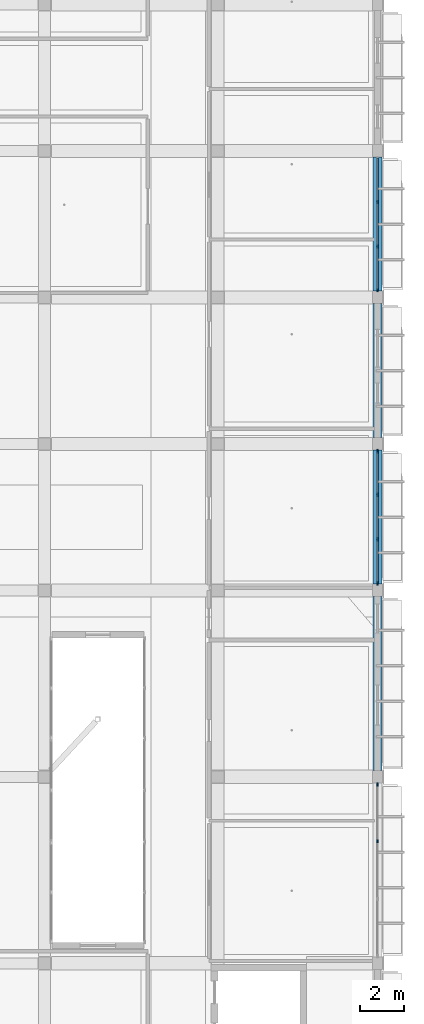
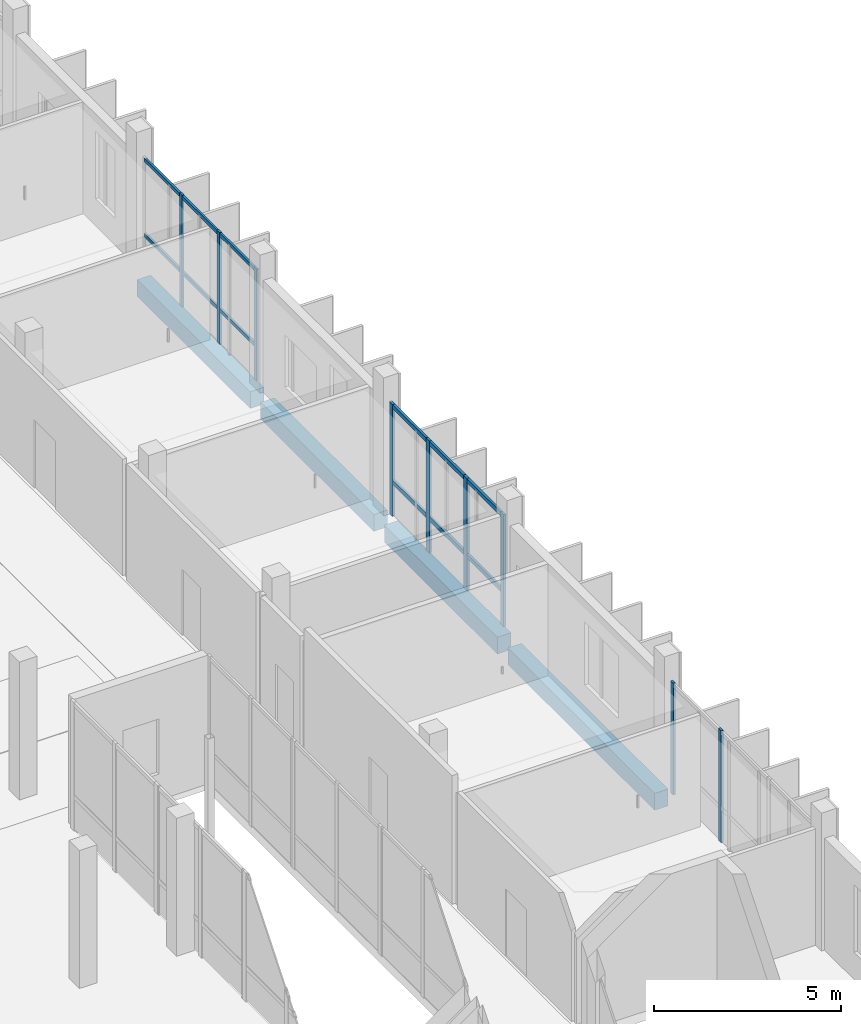
# One storey, part 41 of 95: 13 members, 4 beams, 3 elements without a shape of their own.
"""IFC4 building model written with IfcOpenShell, lengths in metres."""

from ifc_helpers import new_model, si_unit, derived_unit, direction, frame, origin, origin_2d, place, context, subcontext, project, spatial, rectangle, extrude, material, material_profile, profile_set, type_object, element, aggregate, save


model = new_model("IFC4")

# Units and contexts
model_context = context("Model", 3, precision=1e-05, world=origin(), true_north=direction((0.0, 1.0)))
body_context = subcontext(model_context, "Body", "Model", "MODEL_VIEW")
ifc_project = project(units=[si_unit("LENGTHUNIT", "METRE"), si_unit("AREAUNIT", "SQUARE_METRE"), si_unit("VOLUMEUNIT", "CUBIC_METRE"), si_unit("PLANEANGLEUNIT", "RADIAN"), si_unit("MASSUNIT", "GRAM", prefix="KILO"), derived_unit("THERMALTRANSMITTANCEUNIT", [(si_unit("POWERUNIT", "WATT"), 1), (si_unit("LENGTHUNIT", "METRE"), -2), (si_unit("THERMODYNAMICTEMPERATUREUNIT", "KELVIN"), -1)])], contexts=[model_context])

# Site, building, storey
site_placement = place(None, origin())
site = spatial("IfcSite", under=ifc_project, at=site_placement, CompositionType="ELEMENT")
building_placement = place(site_placement, origin())
building = spatial("IfcBuilding", under=site, at=building_placement, Name="Braskholm Square Health Centre", CompositionType="ELEMENT")
storey_placement = place(building_placement, frame((0.0, 0.0, 4.800048828125)))
storey = spatial("IfcBuildingStorey", under=building, at=storey_placement, Name="L02", CompositionType="ELEMENT", Elevation=4.800048828125)

# Curtain wall, members
ifc_material_1 = material(Name="Low-E triple insulating glass (VLT 0.64)", Category="glass")
curtain_wall_type = type_object("IfcCurtainWallType", Name="UnitisedCurtainWall6200x3650", PredefinedType="NOTDEFINED", material=ifc_material_1)
curtain_wall_1_placement = place(storey_placement, origin())
curtain_wall_1 = element("IfcCurtainWall", 1, at=curtain_wall_1_placement, inside=storey, type_object=curtain_wall_type, Name="East Outer unitised curtain wall CW-L02-0056", PredefinedType="NOTDEFINED")
ifc_material_2 = material(Name="Architectural bronze anodised aluminium", Category="aluminium")
ifc_material_profile_1 = material_profile(ifc_material_2, rectangle(XDim=0.06494140625, YDim=0.14990234375, at=origin_2d()), Name="ALU-65X150")
ifc_profile_set_1 = profile_set([ifc_material_profile_1], Name="Architectural bronze anodised aluminium")
member_type_1 = type_object("IfcMemberType", Name="CurtainWallMullion65x150", PredefinedType="MULLION", material=ifc_profile_set_1)
member_1_placement = place(storey_placement, frame((163.800048828125, 69.30322265625, 0.0), z_axis=(0.0, 0.0, 1.0), x_axis=(1.0, 0.0, 0.0)))
member_1 = element("IfcMember", 2, at=member_1_placement, type_object=member_type_1, Name="CW-L02-0056 vertical mullion 3", PredefinedType="MULLION", context=body_context, shape_type="SweptSolid", body=[
    extrude(rectangle(XDim=0.06494140625, YDim=0.14990234375, at=origin_2d()), origin(), (0.0, 0.0, 1.0), 3.64990234375),
])
member_2_placement = place(storey_placement, frame((163.800048828125, 71.863037109375, 0.0), z_axis=(0.0, 0.0, 1.0), x_axis=(1.0, 0.0, 0.0)))
member_2 = element("IfcMember", 3, at=member_2_placement, type_object=member_type_1, Name="CW-L02-0056 vertical mullion 4", PredefinedType="MULLION", context=body_context, shape_type="SweptSolid", body=[
    extrude(rectangle(XDim=0.06494140625, YDim=0.14990234375, at=origin_2d()), origin(), (0.0, 0.0, 1.0), 3.64990234375),
])
aggregate(curtain_wall_1, [member_1, member_2])

curtain_wall_2_placement = place(storey_placement, origin())
curtain_wall_2 = element("IfcCurtainWall", 4, at=curtain_wall_2_placement, inside=storey, type_object=curtain_wall_type, Name="East Outer unitised curtain wall CW-L02-0058", PredefinedType="NOTDEFINED")
member_3_placement = place(storey_placement, frame((163.800048828125, 94.126220703125, 0.0), z_axis=(0.0, 0.0, 1.0), x_axis=(1.0, 0.0, 0.0)))
member_3 = element("IfcMember", 5, at=member_3_placement, type_object=member_type_1, Name="CW-L02-0058 vertical mullion 1", PredefinedType="MULLION", context=body_context, shape_type="SweptSolid", body=[
    extrude(rectangle(XDim=0.06494140625, YDim=0.14990234375, at=origin_2d()), origin(), (0.0, 0.0, 1.0), 3.64990234375),
])
member_4_placement = place(storey_placement, frame((163.800048828125, 96.0966796875, 0.0), z_axis=(0.0, 0.0, 1.0), x_axis=(1.0, 0.0, 0.0)))
member_4 = element("IfcMember", 6, at=member_4_placement, type_object=member_type_1, Name="CW-L02-0058 vertical mullion 2", PredefinedType="MULLION", context=body_context, shape_type="SweptSolid", body=[
    extrude(rectangle(XDim=0.06494140625, YDim=0.14990234375, at=origin_2d()), origin(), (0.0, 0.0, 1.0), 3.64990234375),
])
member_5_placement = place(storey_placement, frame((163.800048828125, 98.103271484375, 0.0), z_axis=(0.0, 0.0, 1.0), x_axis=(1.0, 0.0, 0.0)))
member_5 = element("IfcMember", 7, at=member_5_placement, type_object=member_type_1, Name="CW-L02-0058 vertical mullion 3", PredefinedType="MULLION", context=body_context, shape_type="SweptSolid", body=[
    extrude(rectangle(XDim=0.06494140625, YDim=0.14990234375, at=origin_2d()), origin(), (0.0, 0.0, 1.0), 3.64990234375),
])

curtain_wall_3_placement = place(storey_placement, origin())
curtain_wall_3 = element("IfcCurtainWall", 8, at=curtain_wall_3_placement, inside=storey, type_object=curtain_wall_type, Name="East Outer unitised curtain wall CW-L02-0057", PredefinedType="NOTDEFINED")
ifc_material_profile_2 = material_profile(ifc_material_2, rectangle(XDim=0.074951171875, YDim=0.179931640625, at=origin_2d()), Name="ALU-75X180")
ifc_profile_set_2 = profile_set([ifc_material_profile_2], Name="Architectural bronze anodised aluminium")
member_type_2 = type_object("IfcMemberType", Name="CurtainWallMullion75x180", PredefinedType="MULLION", material=ifc_profile_set_2)
member_6_placement = place(storey_placement, frame((163.800048828125, 80.926025390625, 0.0), z_axis=(0.0, 0.0, 1.0), x_axis=(1.0, 0.0, 0.0)))
member_6 = element("IfcMember", 9, at=member_6_placement, type_object=member_type_2, Name="CW-L02-0057 vertical mullion 1", PredefinedType="MULLION", context=body_context, shape_type="SweptSolid", body=[
    extrude(rectangle(XDim=0.074951171875, YDim=0.179931640625, at=origin_2d()), origin(), (0.0, 0.0, 1.0), 3.64990234375),
])
member_7_placement = place(storey_placement, frame((163.800048828125, 82.896728515625, 0.0), z_axis=(0.0, 0.0, 1.0), x_axis=(1.0, 0.0, 0.0)))
member_7 = element("IfcMember", 10, at=member_7_placement, type_object=member_type_2, Name="CW-L02-0057 vertical mullion 2", PredefinedType="MULLION", context=body_context, shape_type="SweptSolid", body=[
    extrude(rectangle(XDim=0.074951171875, YDim=0.179931640625, at=origin_2d()), origin(), (0.0, 0.0, 1.0), 3.64990234375),
])
member_8_placement = place(storey_placement, frame((163.800048828125, 84.9033203125, 0.0), z_axis=(0.0, 0.0, 1.0), x_axis=(1.0, 0.0, 0.0)))
member_8 = element("IfcMember", 11, at=member_8_placement, type_object=member_type_2, Name="CW-L02-0057 vertical mullion 3", PredefinedType="MULLION", context=body_context, shape_type="SweptSolid", body=[
    extrude(rectangle(XDim=0.074951171875, YDim=0.179931640625, at=origin_2d()), origin(), (0.0, 0.0, 1.0), 3.64990234375),
])
member_9_placement = place(storey_placement, frame((163.800048828125, 86.873779296875, 0.0), z_axis=(0.0, 0.0, 1.0), x_axis=(1.0, 0.0, 0.0)))
member_9 = element("IfcMember", 12, at=member_9_placement, type_object=member_type_2, Name="CW-L02-0057 vertical mullion 4", PredefinedType="MULLION", context=body_context, shape_type="SweptSolid", body=[
    extrude(rectangle(XDim=0.074951171875, YDim=0.179931640625, at=origin_2d()), origin(), (0.0, 0.0, 1.0), 3.64990234375),
])

# Member
ifc_material_profile_3 = material_profile(ifc_material_2, rectangle(XDim=0.06494140625, YDim=0.1201171875, at=origin_2d()), Name="ALU-65X120")
ifc_profile_set_3 = profile_set([ifc_material_profile_3], Name="Architectural bronze anodised aluminium")
member_type_3 = type_object("IfcMemberType", Name="CurtainWallTransom65x120", PredefinedType="USERDEFINED", material=ifc_profile_set_3)
member_10_placement = place(storey_placement, frame((163.800048828125, 94.135009765625, 1.119873046875), z_axis=(0.0, 1.0, 0.0), x_axis=(-1.0, 0.0, 0.0)))
member_10 = element("IfcMember", 13, at=member_10_placement, type_object=member_type_3, Name="CW-L02-0058 horizontal transom 1", ObjectType="TRANSOM", PredefinedType="USERDEFINED", context=body_context, shape_type="SweptSolid", body=[
    extrude(rectangle(XDim=0.06494140625, YDim=0.1201171875, at=origin_2d()), origin(), (0.0, 0.0, 1.0), 5.929931640625),
])

member_11_placement = place(storey_placement, frame((163.800048828125, 94.135009765625, 3.579833984375), z_axis=(0.0, 1.0, 0.0), x_axis=(-1.0, 0.0, 0.0)))
member_11 = element("IfcMember", 14, at=member_11_placement, type_object=member_type_3, Name="CW-L02-0058 horizontal transom 2", ObjectType="TRANSOM", PredefinedType="USERDEFINED", context=body_context, shape_type="SweptSolid", body=[
    extrude(rectangle(XDim=0.06494140625, YDim=0.1201171875, at=origin_2d()), origin(), (0.0, 0.0, 1.0), 5.929931640625),
])

aggregate(curtain_wall_2, [member_3, member_4, member_5, member_10, member_11])

ifc_material_profile_4 = material_profile(ifc_material_2, rectangle(XDim=0.074951171875, YDim=0.139892578125, at=origin_2d()), Name="ALU-75X140")
ifc_profile_set_4 = profile_set([ifc_material_profile_4], Name="Architectural bronze anodised aluminium")
member_type_4 = type_object("IfcMemberType", Name="CurtainWallTransom75x140", PredefinedType="USERDEFINED", material=ifc_profile_set_4)
member_12_placement = place(storey_placement, frame((163.800048828125, 80.93505859375, 1.119873046875), z_axis=(0.0, 1.0, 0.0), x_axis=(-1.0, 0.0, 0.0)))
member_12 = element("IfcMember", 15, at=member_12_placement, type_object=member_type_4, Name="CW-L02-0057 horizontal transom 1", ObjectType="TRANSOM", PredefinedType="USERDEFINED", context=body_context, shape_type="SweptSolid", body=[
    extrude(rectangle(XDim=0.074951171875, YDim=0.139892578125, at=origin_2d()), origin(), (0.0, 0.0, 1.0), 5.929931640625),
])

member_13_placement = place(storey_placement, frame((163.800048828125, 80.93505859375, 3.579833984375), z_axis=(0.0, 1.0, 0.0), x_axis=(-1.0, 0.0, 0.0)))
member_13 = element("IfcMember", 16, at=member_13_placement, type_object=member_type_4, Name="CW-L02-0057 horizontal transom 2", ObjectType="TRANSOM", PredefinedType="USERDEFINED", context=body_context, shape_type="SweptSolid", body=[
    extrude(rectangle(XDim=0.074951171875, YDim=0.139892578125, at=origin_2d()), origin(), (0.0, 0.0, 1.0), 5.929931640625),
])

aggregate(curtain_wall_3, [member_6, member_7, member_8, member_9, member_12, member_13])

# Beams
ifc_material_3 = material(Name="Precast concrete C40/50 architectural white", Category="concrete")
ifc_material_profile_5 = material_profile(ifc_material_3, rectangle(XDim=0.419921875, YDim=0.550048828125, at=origin_2d()), Name="RCB-420X550")
ifc_profile_set_5 = profile_set([ifc_material_profile_5], Name="Precast concrete C40/50 architectural white")
beam_type = type_object("IfcBeamType", Name="SpandrelPrecastLedge420x550", PredefinedType="SPANDREL", material=ifc_profile_set_5)
beam_placement = place(storey_placement, frame((163.800048828125, 72.47998046875, -0.574951171875), z_axis=(0.0, 1.0, 0.0), x_axis=(-1.0, 0.0, 0.0)))
element("IfcBeam", 17, at=beam_placement, inside=storey, type_object=beam_type, Name="Beam 22/L-M L02", PredefinedType="SPANDREL", context=body_context, shape_type="SweptSolid", body=[
    extrude(rectangle(XDim=0.419921875, YDim=0.550048828125, at=origin_2d()), origin(), (0.0, 0.0, 1.0), 7.840087890625),
])
for number, where, z_axis, x_axis, name in (
    (18, (163.800048828125, 80.8798828125, -0.574951171875), (0.0, 1.0, 0.0), (-1.0, 0.0, 0.0), "Beam 22/M-N L02"),
    (19, (163.800048828125, 87.47998046875, -0.574951171875), (0.0, 1.0, 0.0), (-1.0, 0.0, 0.0), "Beam 22/N-P L02"),
    (20, (163.800048828125, 94.080078125, -0.574951171875), (0.0, 1.0, 0.0), (-1.0, 0.0, 0.0), "Beam 22/P-Q L02"),
):
    element("IfcBeam", number, at=place(storey_placement, frame(where, z_axis=z_axis, x_axis=x_axis)), inside=storey, type_object=beam_type, Name=name, PredefinedType="SPANDREL", context=body_context, shape_type="SweptSolid", body=[
        extrude(rectangle(XDim=0.419921875, YDim=0.550048828125, at=origin_2d()), origin(), (0.0, 0.0, 1.0), 6.0400390625),
    ])

save(model, "model.ifc")
